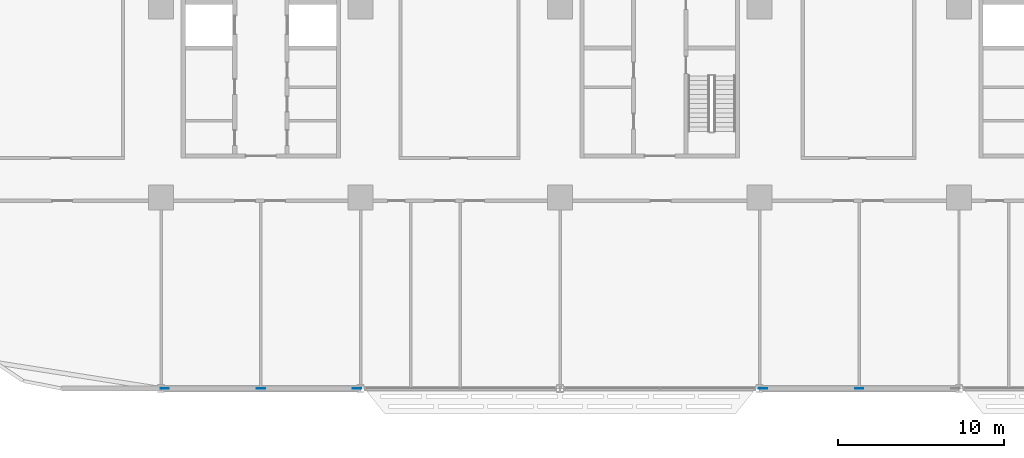
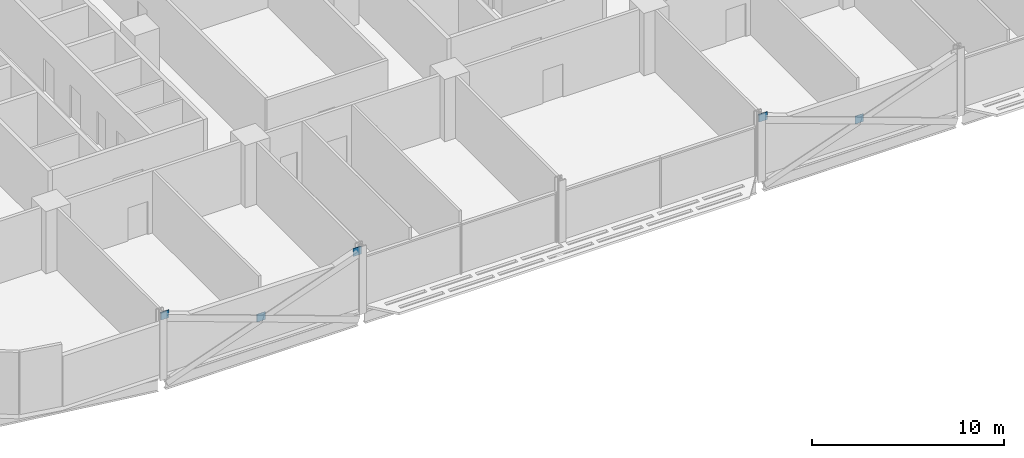
# One storey, part 19 of 29: 5 discrete accessories.
"""IFC4 building model written with IfcOpenShell, lengths in metres."""

from ifc_helpers import new_model, si_unit, direction, frame, origin, origin_2d, place, context, subcontext, project, spatial, rectangle, extrude, material, layer, layer_set, type_object, element, save


model = new_model("IFC4")

# Units and contexts
model_context = context("Model", 3, precision=1e-05, world=origin(), true_north=direction((0.0, 1.0)))
body_context = subcontext(model_context, "Body", "Model", "MODEL_VIEW")
ifc_project = project(units=[si_unit("LENGTHUNIT", "METRE"), si_unit("AREAUNIT", "SQUARE_METRE"), si_unit("VOLUMEUNIT", "CUBIC_METRE"), si_unit("PLANEANGLEUNIT", "RADIAN"), si_unit("MASSUNIT", "GRAM", prefix="KILO")], contexts=[model_context])

# Site, building, storey
site_placement = place(None, origin())
site = spatial("IfcSite", under=ifc_project, at=site_placement, CompositionType="ELEMENT")
building_placement = place(site_placement, origin())
building = spatial("IfcBuilding", under=site, at=building_placement, Name="Mahtab Terrace Research Tower", CompositionType="ELEMENT")
storey_placement = place(building_placement, frame((0.0, 0.0, 58.89990234375)))
storey = spatial("IfcBuildingStorey", under=building, at=storey_placement, Name="L13", CompositionType="ELEMENT", Elevation=58.89990234375)

# Discrete accessories
ifc_material = material(Name="Steel ASTM A992 Gr 50", Category="steel")
ifc_layer = layer(ifc_material, 0.030029296875)
ifc_layer_set = layer_set([ifc_layer], Name="Gusset plate 500x500x30")
discrete_accessory_type = type_object("IfcDiscreteAccessoryType", Name="Gusset plate 500x500x30", PredefinedType="USERDEFINED", material=ifc_layer_set)
for number, where, z_axis, x_axis, name in (
    (1, (-29.787841796875, -23.0, 3.33154296875), (0.0, 0.0, 1.0), (1.0, 0.0, 0.0), "Gusset plate"),
    (2, (-24.0, -23.0, 1.181640625), (0.0, 0.0, 1.0), (1.0, 0.0, 0.0), "Gusset plate"),
    (3, (-18.212158203125, -23.0, 3.33154296875), (0.0, 0.0, 1.0), (1.0, 0.0, 0.0), "Gusset plate"),
    (4, (6.212158203125, -23.0, 3.33154296875), (0.0, 0.0, 1.0), (1.0, 0.0, 0.0), "Gusset plate"),
    (5, (12.0, -23.0, 1.181640625), (0.0, 0.0, 1.0), (1.0, 0.0, 0.0), "Gusset plate"),
):
    element("IfcDiscreteAccessory", number, at=place(storey_placement, frame(where, z_axis=z_axis, x_axis=x_axis)), inside=storey, type_object=discrete_accessory_type, Name=name, ObjectType="GUSSET PLATE", PredefinedType="USERDEFINED", context=body_context, shape_type="SweptSolid", body=[
        extrude(rectangle(XDim=0.5, YDim=0.030029296875, at=origin_2d()), origin(), (0.0, 0.0, 1.0), 0.5),
    ])

save(model, "model.ifc")
